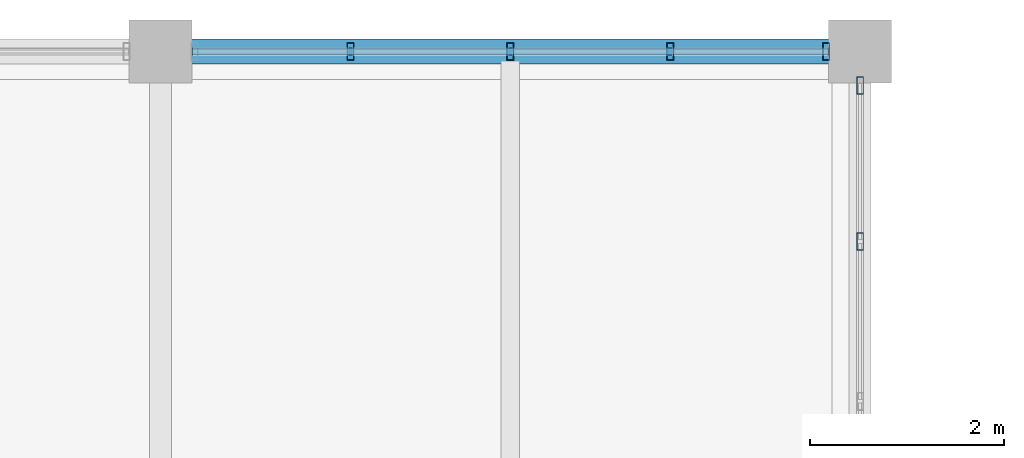
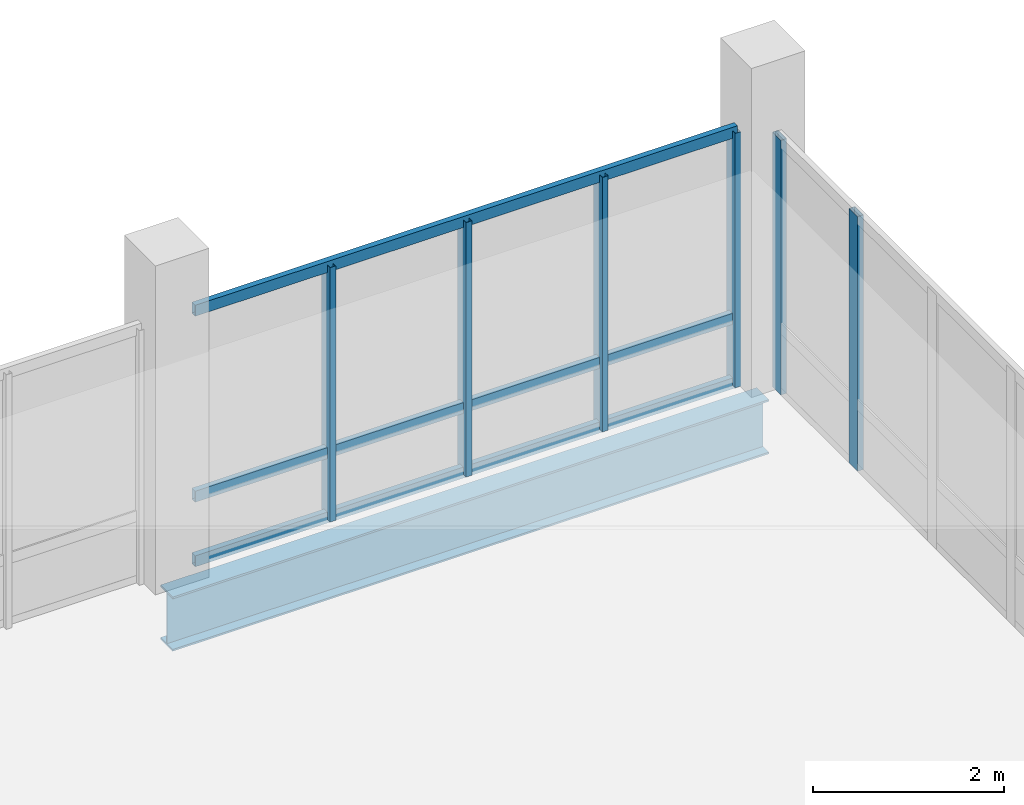
# One storey, part 90 of 144: 9 members, 1 beam, 2 elements without a shape of their own.
"""IFC4 building model written with IfcOpenShell, lengths in metres."""

from ifc_helpers import new_model, si_unit, direction, frame, origin, origin_2d, place, context, subcontext, project, spatial, hollow_rectangle, i_section, extrude, material, material_profile, profile_set, type_object, element, aggregate, save


model = new_model("IFC4")

# Units and contexts
model_context = context("Model", 3, precision=1e-05, world=origin(), true_north=direction((0.0, 1.0)))
body_context = subcontext(model_context, "Body", "Model", "MODEL_VIEW")
ifc_project = project(units=[si_unit("LENGTHUNIT", "METRE"), si_unit("AREAUNIT", "SQUARE_METRE"), si_unit("VOLUMEUNIT", "CUBIC_METRE"), si_unit("PLANEANGLEUNIT", "RADIAN"), si_unit("MASSUNIT", "GRAM", prefix="KILO")], contexts=[model_context])

# Site, building, storey
site_placement = place(None, origin())
site = spatial("IfcSite", under=ifc_project, at=site_placement, CompositionType="ELEMENT")
building_placement = place(site_placement, origin())
building = spatial("IfcBuilding", under=site, at=building_placement, Name="Yarey Park Central Fire Station", CompositionType="ELEMENT")
storey_placement = place(building_placement, frame((0.0, 0.0, 10.199951171875)))
storey = spatial("IfcBuildingStorey", under=building, at=storey_placement, Name="L03", CompositionType="ELEMENT", Elevation=10.199951171875)

# Curtain wall, members
ifc_material_1 = material(Name="Anodized Aluminium Frame", Category="aluminium")
curtain_wall_type = type_object("IfcCurtainWallType", Name="ENV_CW_HQ_L03", PredefinedType="NOTDEFINED", material=ifc_material_1)
curtain_wall_1_placement = place(storey_placement, origin())
curtain_wall_1 = element("IfcCurtainWall", 1, at=curtain_wall_1_placement, inside=storey, type_object=curtain_wall_type, Name="CW_L03_V4_N_6", PredefinedType="NOTDEFINED")
ifc_material_profile_1 = material_profile(ifc_material_1, hollow_rectangle(XDim=0.070068359375, YDim=0.179931640625, WallThickness=0.00390625, at=origin_2d()), Name="ALU 180x70x4")
ifc_profile_set_1 = profile_set([ifc_material_profile_1], Name="Anodized Aluminium Frame")
member_type_1 = type_object("IfcMemberType", Name="ENV_CW_MULLION", PredefinedType="MULLION", material=ifc_profile_set_1)
member_1_placement = place(storey_placement, frame((158.050048828125, 115.199951171875, 0.0), z_axis=(0.0, 0.0, 1.0), x_axis=(1.0, 0.0, 0.0)))
member_1 = element("IfcMember", 2, at=member_1_placement, type_object=member_type_1, Name="CW_L03_V4_N_6_MUL1", PredefinedType="MULLION", context=body_context, shape_type="SweptSolid", body=[
    extrude(hollow_rectangle(XDim=0.070068359375, YDim=0.179931640625, WallThickness=0.00390625, at=origin_2d()), origin(), (0.0, 0.0, 1.0), 3.25),
])
member_2_placement = place(storey_placement, frame((156.445068359375, 115.199951171875, 0.0), z_axis=(0.0, 0.0, 1.0), x_axis=(1.0, 0.0, 0.0)))
member_2 = element("IfcMember", 3, at=member_2_placement, type_object=member_type_1, Name="CW_L03_V4_N_6_MUL2", PredefinedType="MULLION", context=body_context, shape_type="SweptSolid", body=[
    extrude(hollow_rectangle(XDim=0.070068359375, YDim=0.179931640625, WallThickness=0.00390625, at=origin_2d()), origin(), (0.0, 0.0, 1.0), 3.25),
])
member_3_placement = place(storey_placement, frame((154.800048828125, 115.199951171875, 0.0), z_axis=(0.0, 0.0, 1.0), x_axis=(1.0, 0.0, 0.0)))
member_3 = element("IfcMember", 4, at=member_3_placement, type_object=member_type_1, Name="CW_L03_V4_N_6_MUL3", PredefinedType="MULLION", context=body_context, shape_type="SweptSolid", body=[
    extrude(hollow_rectangle(XDim=0.070068359375, YDim=0.179931640625, WallThickness=0.00390625, at=origin_2d()), origin(), (0.0, 0.0, 1.0), 3.25),
])
member_4_placement = place(storey_placement, frame((153.155029296875, 115.199951171875, 0.0), z_axis=(0.0, 0.0, 1.0), x_axis=(1.0, 0.0, 0.0)))
member_4 = element("IfcMember", 5, at=member_4_placement, type_object=member_type_1, Name="CW_L03_V4_N_6_MUL4", PredefinedType="MULLION", context=body_context, shape_type="SweptSolid", body=[
    extrude(hollow_rectangle(XDim=0.070068359375, YDim=0.179931640625, WallThickness=0.00390625, at=origin_2d()), origin(), (0.0, 0.0, 1.0), 3.25),
])

curtain_wall_2_placement = place(storey_placement, origin())
curtain_wall_2 = element("IfcCurtainWall", 6, at=curtain_wall_2_placement, inside=storey, type_object=curtain_wall_type, Name="CW_L03_V4_E_108", PredefinedType="NOTDEFINED")
member_5_placement = place(storey_placement, frame((158.39990234375, 113.2451171875, 0.0), z_axis=(0.0, 0.0, 1.0), x_axis=(1.0, 0.0, 0.0)))
member_5 = element("IfcMember", 7, at=member_5_placement, type_object=member_type_1, Name="CW_L03_V4_E_108_MUL4", PredefinedType="MULLION", context=body_context, shape_type="SweptSolid", body=[
    extrude(hollow_rectangle(XDim=0.070068359375, YDim=0.179931640625, WallThickness=0.00390625, at=origin_2d()), origin(), (0.0, 0.0, 1.0), 3.25),
])
member_6_placement = place(storey_placement, frame((158.39990234375, 114.85009765625, 0.0), z_axis=(0.0, 0.0, 1.0), x_axis=(1.0, 0.0, 0.0)))
member_6 = element("IfcMember", 8, at=member_6_placement, type_object=member_type_1, Name="CW_L03_V4_E_108_MUL5", PredefinedType="MULLION", context=body_context, shape_type="SweptSolid", body=[
    extrude(hollow_rectangle(XDim=0.070068359375, YDim=0.179931640625, WallThickness=0.00390625, at=origin_2d()), origin(), (0.0, 0.0, 1.0), 3.25),
])
aggregate(curtain_wall_2, [member_5, member_6])

# Member
ifc_material_profile_2 = material_profile(ifc_material_1, hollow_rectangle(XDim=0.070068359375, YDim=0.139892578125, WallThickness=0.00390625, at=origin_2d()), Name="ALU 140x70x4")
ifc_profile_set_2 = profile_set([ifc_material_profile_2], Name="Anodized Aluminium Frame")
member_type_2 = type_object("IfcMemberType", Name="ENV_CW_TRANSOM", PredefinedType="USERDEFINED", material=ifc_profile_set_2)
member_7_placement = place(storey_placement, frame((158.074951171875, 115.199951171875, 0.025146484375), z_axis=(-1.0, 0.0, 0.0), x_axis=(0.0, -1.0, 0.0)))
member_7 = element("IfcMember", 9, at=member_7_placement, type_object=member_type_2, Name="CW_L03_V4_N_6_TRN1", ObjectType="TRANSOM", PredefinedType="USERDEFINED", context=body_context, shape_type="SweptSolid", body=[
    extrude(hollow_rectangle(XDim=0.070068359375, YDim=0.139892578125, WallThickness=0.00390625, at=origin_2d()), origin(), (0.0, 0.0, 1.0), 6.550048828125),
])

member_8_placement = place(storey_placement, frame((158.074951171875, 115.199951171875, 0.85009765625), z_axis=(-1.0, 0.0, 0.0), x_axis=(0.0, -1.0, 0.0)))
member_8 = element("IfcMember", 10, at=member_8_placement, type_object=member_type_2, Name="CW_L03_V4_N_6_TRN2", ObjectType="TRANSOM", PredefinedType="USERDEFINED", context=body_context, shape_type="SweptSolid", body=[
    extrude(hollow_rectangle(XDim=0.070068359375, YDim=0.139892578125, WallThickness=0.00390625, at=origin_2d()), origin(), (0.0, 0.0, 1.0), 6.550048828125),
])

member_9_placement = place(storey_placement, frame((158.074951171875, 115.199951171875, 3.22509765625), z_axis=(-1.0, 0.0, 0.0), x_axis=(0.0, -1.0, 0.0)))
member_9 = element("IfcMember", 11, at=member_9_placement, type_object=member_type_2, Name="CW_L03_V4_N_6_TRN3", ObjectType="TRANSOM", PredefinedType="USERDEFINED", context=body_context, shape_type="SweptSolid", body=[
    extrude(hollow_rectangle(XDim=0.070068359375, YDim=0.139892578125, WallThickness=0.00390625, at=origin_2d()), origin(), (0.0, 0.0, 1.0), 6.550048828125),
])

aggregate(curtain_wall_1, [member_1, member_2, member_3, member_4, member_7, member_8, member_9])

# Beam
ifc_material_2 = material(Name="Steel ASTM A992 Gr. 50", Category="steel")
ifc_material_profile_3 = material_profile(ifc_material_2, i_section(OverallWidth=0.256103515625, OverallDepth=0.693115234375, WebThickness=0.014404296875, FlangeThickness=0.023681640625, at=origin_2d()), Name="W690x170")
ifc_profile_set_3 = profile_set([ifc_material_profile_3], Name="Steel ASTM A992 Gr. 50")
beam_type = type_object("IfcBeamType", Name="STR_BM_W690", PredefinedType="BEAM", material=ifc_profile_set_3)
beam_placement = place(storey_placement, frame((151.199951171875, 115.199951171875, -0.6064453125), z_axis=(1.0, 0.0, 0.0), x_axis=(0.0, 1.0, 0.0)))
element("IfcBeam", 12, at=beam_placement, inside=storey, type_object=beam_type, Name="BMX L03 Y1152 X1512", PredefinedType="BEAM", context=body_context, shape_type="SweptSolid", body=[
    extrude(i_section(OverallWidth=0.256103515625, OverallDepth=0.693115234375, WebThickness=0.014404296875, FlangeThickness=0.023681640625, at=origin_2d()), origin(), (0.0, 0.0, 1.0), 7.199951171875),
])

save(model, "model.ifc")
